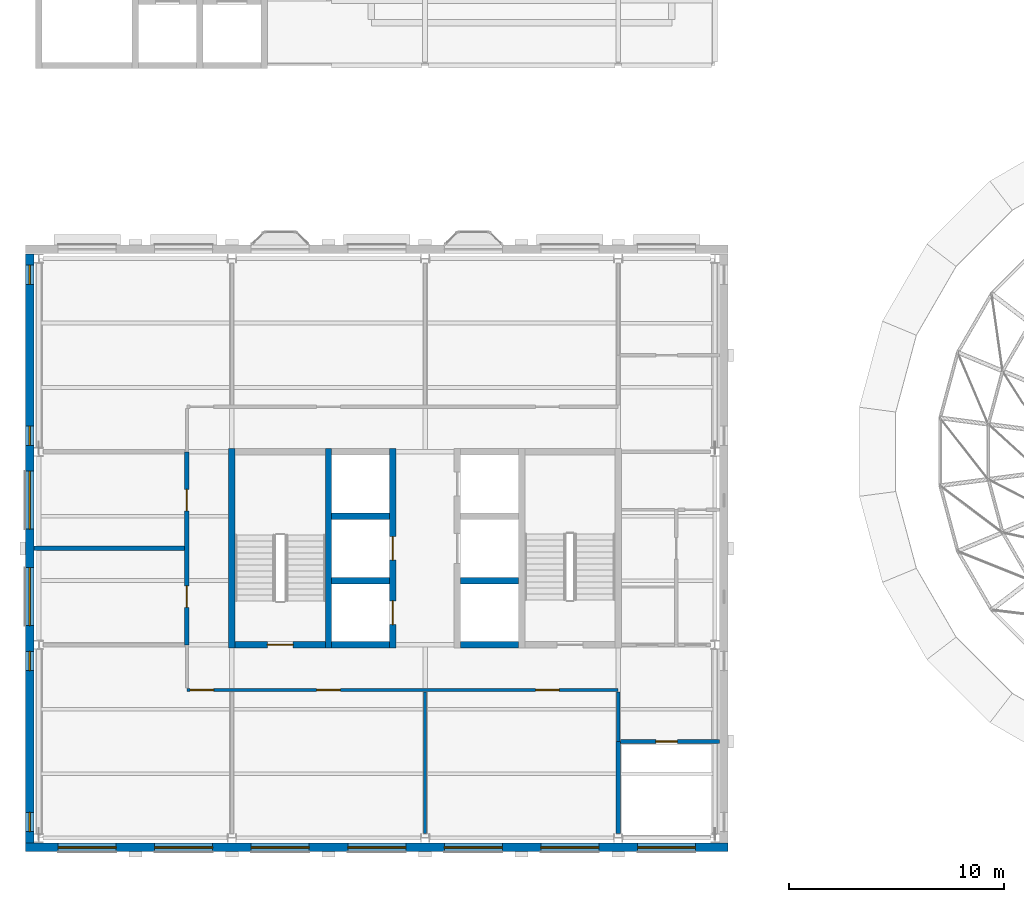
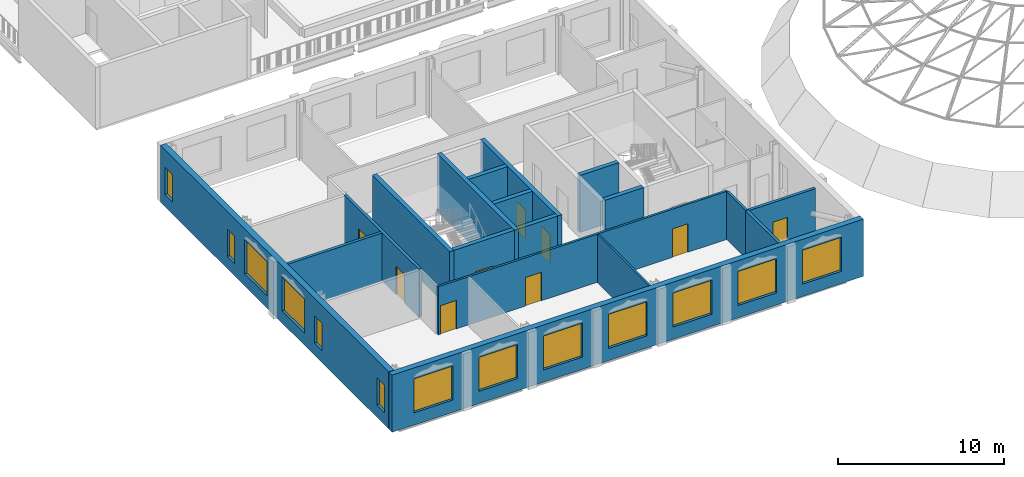
# One storey, part 12 of 33: 18 walls, 13 windows, 9 doors, 22 openings.
"""IFC4 building model written with IfcOpenShell, lengths in metres."""

from ifc_helpers import new_model, si_unit, direction, frame, frame_2d, origin, place, context, subcontext, project, spatial, rectangle, extrude, material, layer, layer_set, type_object, element, fill, save


model = new_model("IFC4")

# Units and contexts
model_context = context("Model", 3, precision=1e-05, world=origin(), true_north=direction((0.0, 1.0)))
body_context = subcontext(model_context, "Body", "Model", "MODEL_VIEW")
ifc_project = project(units=[si_unit("LENGTHUNIT", "METRE"), si_unit("AREAUNIT", "SQUARE_METRE"), si_unit("VOLUMEUNIT", "CUBIC_METRE"), si_unit("PLANEANGLEUNIT", "RADIAN"), si_unit("MASSUNIT", "GRAM", prefix="KILO")], contexts=[model_context])

# Site, building, storey
site_placement = place(None, origin())
site = spatial("IfcSite", under=ifc_project, at=site_placement, CompositionType="ELEMENT")
building_placement = place(site_placement, origin())
building = spatial("IfcBuilding", under=site, at=building_placement, Name="Hortulan Conservatory and Botanical Research Centre", CompositionType="ELEMENT")
storey_placement = place(building_placement, frame((0.0, 0.0, 19.199951171875)))
storey = spatial("IfcBuildingStorey", under=building, at=storey_placement, Name="L04", CompositionType="ELEMENT", Elevation=19.199951171875)

# Wall, openings, doors
ifc_material_1 = material(Name="Fire-rated plasterboard on steel studs", Category="steel")
ifc_layer_1 = layer(ifc_material_1, 0.199951171875)
ifc_layer_set_1 = layer_set([ifc_layer_1], Name="Compartment Partition 200")
wall_type_1 = type_object("IfcWallType", Name="Compartment Partition 200", PredefinedType="PARTITIONING", material=ifc_layer_set_1)
wall_1_placement = place(storey_placement, frame((6.89990234375, 9.0, 0.0), z_axis=(0.0, 0.0, 1.0), x_axis=(0.0, 1.0, 0.0)))
wall_1 = element("IfcWall", 1, at=wall_1_placement, inside=storey, type_object=wall_type_1, Name="Store wall", PredefinedType="PARTITIONING", context=body_context, shape_type="SweptSolid", body=[
    extrude(rectangle(XDim=9.0, YDim=0.199951171875, at=frame_2d((4.5, 0.0))), origin(), (0.0, 0.0, 1.0), 3.537109375),
])
opening_1_placement = place(wall_1_placement, frame((1.75, 0.0, 0.0)))
opening_1 = element("IfcOpeningElement", 2, at=opening_1_placement, cuts=wall_1, Name="Opening DT6", PredefinedType="OPENING", context=body_context, shape_type="SweptSolid", body=[
    extrude(rectangle(XDim=1.0, YDim=2.10009765625, at=frame_2d((0.5, 1.050048828125))), frame((0.0, 0.10986328125, 0.0), z_axis=(0.0, -1.0, 0.0), x_axis=(1.0, 0.0, 0.0)), (0.0, 0.0, 1.0), 0.219970703125),
])
opening_2_placement = place(wall_1_placement, frame((6.25, 0.0, 0.0)))
opening_2 = element("IfcOpeningElement", 3, at=opening_2_placement, cuts=wall_1, Name="Opening DT6", PredefinedType="OPENING", context=body_context, shape_type="SweptSolid", body=[
    extrude(rectangle(XDim=1.0, YDim=2.10009765625, at=frame_2d((0.5, 1.050048828125))), frame((0.0, 0.10986328125, 0.0), z_axis=(0.0, -1.0, 0.0), x_axis=(1.0, 0.0, 0.0)), (0.0, 0.0, 1.0), 0.219970703125),
])
ifc_material_2 = material(Name="Steel door leaf, insulated", Category="steel")
door_type_1 = type_object("IfcDoorType", Name="Fire Door 1000x2100 FRL -/120/30", OperationType="NOTDEFINED", PredefinedType="DOOR", material=ifc_material_2)
door_1_placement = place(opening_1_placement, origin())
door_1 = element("IfcDoor", 4, at=door_1_placement, inside=storey, type_object=door_type_1, Name="Door DT6 Chemical Store", OperationType="SINGLE_SWING_LEFT", OverallHeight=2.10009765625, OverallWidth=1.0, PredefinedType="DOOR", context=body_context, shape_type="SweptSolid", body=[
    extrude(rectangle(XDim=1.0, YDim=2.10009765625, at=frame_2d((0.5, 1.050048828125))), frame((0.0, 0.02490234375, 0.0), z_axis=(0.0, -1.0, 0.0), x_axis=(1.0, 0.0, 0.0)), (0.0, 0.0, 1.0), 0.050048828125),
])
fill(opening_1, door_1)
door_2_placement = place(opening_2_placement, origin())
door_2 = element("IfcDoor", 5, at=door_2_placement, inside=storey, type_object=door_type_1, Name="Door DT6 Cold Room", OperationType="SINGLE_SWING_RIGHT", OverallHeight=2.10009765625, OverallWidth=1.0, PredefinedType="DOOR", context=body_context, shape_type="SweptSolid", body=[
    extrude(rectangle(XDim=1.0, YDim=2.10009765625, at=frame_2d((0.5, 1.050048828125))), frame((0.0, 0.02490234375, 0.0), z_axis=(0.0, -1.0, 0.0), x_axis=(1.0, 0.0, 0.0)), (0.0, 0.0, 1.0), 0.050048828125),
])
fill(opening_2, door_2)

# Wall
wall_2_placement = place(storey_placement, frame((27.0, 0.220947265625, 0.0), z_axis=(0.0, 0.0, 1.0), x_axis=(0.0, 1.0, 0.0)))
element("IfcWall", 6, at=wall_2_placement, inside=storey, type_object=wall_type_1, Name="Riser wall", PredefinedType="PARTITIONING", context=body_context, shape_type="SweptSolid", body=[
    extrude(rectangle(XDim=4.279052734375, YDim=0.199951171875, at=frame_2d((2.1396484375, 0.0))), origin(), (0.0, 0.0, 1.0), 3.537109375),
])

# Wall, opening, door
wall_3_placement = place(storey_placement, frame((27.110107421875, 4.5, 0.0), z_axis=(0.0, 0.0, 1.0), x_axis=(1.0, 0.0, 0.0)))
wall_3 = element("IfcWall", 7, at=wall_3_placement, inside=storey, type_object=wall_type_1, Name="Riser wall", PredefinedType="PARTITIONING", context=body_context, shape_type="SweptSolid", body=[
    extrude(rectangle(XDim=4.60498046875, YDim=0.199951171875, at=frame_2d((2.302490234375, 0.0))), origin(), (0.0, 0.0, 1.0), 3.537109375),
])
opening_3_placement = place(wall_3_placement, frame((1.639892578125, 0.0, 0.0)))
opening_3 = element("IfcOpeningElement", 8, at=opening_3_placement, cuts=wall_3, Name="Opening DT6", PredefinedType="OPENING", context=body_context, shape_type="SweptSolid", body=[
    extrude(rectangle(XDim=1.0, YDim=2.10009765625, at=frame_2d((0.5, 1.050048828125))), frame((0.0, 0.10986328125, 0.0), z_axis=(0.0, -1.0, 0.0), x_axis=(1.0, 0.0, 0.0)), (0.0, 0.0, 1.0), 0.219970703125),
])
door_3_placement = place(opening_3_placement, frame((1.0, 0.0, 0.0), z_axis=(0.0, 0.0, 1.0), x_axis=(-1.0, 0.0, 0.0)))
door_3 = element("IfcDoor", 9, at=door_3_placement, inside=storey, type_object=door_type_1, Name="Door DT6 Services Riser", OperationType="SINGLE_SWING_LEFT", OverallHeight=2.10009765625, OverallWidth=1.0, PredefinedType="DOOR", context=body_context, shape_type="SweptSolid", body=[
    extrude(rectangle(XDim=1.0, YDim=2.10009765625, at=frame_2d((0.5, 1.050048828125))), frame((0.0, 0.02490234375, 0.0), z_axis=(0.0, -1.0, 0.0), x_axis=(1.0, 0.0, 0.0)), (0.0, 0.0, 1.0), 0.050048828125),
])
fill(opening_3, door_3)

# Walls
wall_4_placement = place(storey_placement, frame((-0.215087890625, 13.5, 0.0), z_axis=(0.0, 0.0, 1.0), x_axis=(1.0, 0.0, 0.0)))
element("IfcWall", 10, at=wall_4_placement, inside=storey, type_object=wall_type_1, Name="Store wall", PredefinedType="PARTITIONING", context=body_context, shape_type="SweptSolid", body=[
    extrude(rectangle(XDim=7.005126953125, YDim=0.199951171875, at=frame_2d((3.50244140625, 0.0))), origin(), (0.0, 0.0, 1.0), 3.537109375),
])
ifc_material_3 = material(Name="Concrete N50 (50 MPa, AS 3600)", Category="concrete")
ifc_layer_2 = layer(ifc_material_3, 0.300048828125)
ifc_layer_set_2 = layer_set([ifc_layer_2], Name="Core Wall 300 N50 FRL 240/120/120")
wall_type_2 = type_object("IfcWallType", Name="Core Wall 300 N50 FRL 240/120/120", PredefinedType="SHEAR", material=ifc_layer_set_2)
for number, where, z_axis, x_axis, name in (
    (11, (9.0, 8.85009765625, 0.0), (0.0, 0.0, 1.0), (0.0, 1.0, 0.0), "Reinforced concrete shaft wall"),
    (12, (13.5, 8.85009765625, 0.0), (0.0, 0.0, 1.0), (0.0, 1.0, 0.0), "Reinforced concrete shaft wall"),
):
    element("IfcWall", number, at=place(storey_placement, frame(where, z_axis=z_axis, x_axis=x_axis)), inside=storey, type_object=wall_type_2, Name=name, PredefinedType="SHEAR", context=body_context, shape_type="SweptSolid", body=[
        extrude(rectangle(XDim=9.2998046875, YDim=0.300048828125, at=frame_2d((4.64990234375, 0.0))), origin(), (0.0, 0.0, 1.0), 4.199951171875),
    ])

# Wall, openings, doors
wall_5_placement = place(storey_placement, frame((16.5, 8.85009765625, 0.0), z_axis=(0.0, 0.0, 1.0), x_axis=(0.0, 1.0, 0.0)))
wall_5 = element("IfcWall", 13, at=wall_5_placement, inside=storey, type_object=wall_type_2, Name="Reinforced concrete shaft wall", PredefinedType="SHEAR", context=body_context, shape_type="SweptSolid", body=[
    extrude(rectangle(XDim=9.2998046875, YDim=0.300048828125, at=frame_2d((4.64990234375, 0.0))), origin(), (0.0, 0.0, 1.0), 4.199951171875),
])
opening_4_placement = place(wall_5_placement, frame((1.10009765625, 0.0, 0.0)))
opening_4 = element("IfcOpeningElement", 14, at=opening_4_placement, cuts=wall_5, Name="Opening LD1", PredefinedType="OPENING", context=body_context, shape_type="SweptSolid", body=[
    extrude(rectangle(XDim=1.10009765625, YDim=2.10009765625, at=frame_2d((0.550048828125, 1.050048828125))), frame((0.0, 0.159912109375, 0.0), z_axis=(0.0, -1.0, 0.0), x_axis=(1.0, 0.0, 0.0)), (0.0, 0.0, 1.0), 0.320068359375),
])
opening_5_placement = place(wall_5_placement, frame((4.10009765625, 0.0, 0.0)))
opening_5 = element("IfcOpeningElement", 15, at=opening_5_placement, cuts=wall_5, Name="Opening LD1", PredefinedType="OPENING", context=body_context, shape_type="SweptSolid", body=[
    extrude(rectangle(XDim=1.10009765625, YDim=2.10009765625, at=frame_2d((0.550048828125, 1.050048828125))), frame((0.0, 0.159912109375, 0.0), z_axis=(0.0, -1.0, 0.0), x_axis=(1.0, 0.0, 0.0)), (0.0, 0.0, 1.0), 0.320068359375),
])
ifc_material_4 = material(Name="Stainless steel door leaves in steel frame", Category="steel")
door_type_2 = type_object("IfcDoorType", Name="Lift Landing Door 1100x2100", OperationType="DOUBLE_DOOR_SLIDING", PredefinedType="DOOR", material=ifc_material_4)
door_4_placement = place(opening_4_placement, origin())
door_4 = element("IfcDoor", 16, at=door_4_placement, inside=storey, type_object=door_type_2, Name="Lift LP1 landing door L04", OperationType="DOUBLE_DOOR_SLIDING", OverallHeight=2.10009765625, OverallWidth=1.10009765625, PredefinedType="DOOR", context=body_context, shape_type="SweptSolid", body=[
    extrude(rectangle(XDim=1.10009765625, YDim=2.10009765625, at=frame_2d((0.550048828125, 1.050048828125))), frame((0.0, 0.02490234375, 0.0), z_axis=(0.0, -1.0, 0.0), x_axis=(1.0, 0.0, 0.0)), (0.0, 0.0, 1.0), 0.050048828125),
])
fill(opening_4, door_4)
door_5_placement = place(opening_5_placement, origin())
door_5 = element("IfcDoor", 17, at=door_5_placement, inside=storey, type_object=door_type_2, Name="Lift LP2 landing door L04", OperationType="DOUBLE_DOOR_SLIDING", OverallHeight=2.10009765625, OverallWidth=1.10009765625, PredefinedType="DOOR", context=body_context, shape_type="SweptSolid", body=[
    extrude(rectangle(XDim=1.10009765625, YDim=2.10009765625, at=frame_2d((0.550048828125, 1.050048828125))), frame((0.0, 0.02490234375, 0.0), z_axis=(0.0, -1.0, 0.0), x_axis=(1.0, 0.0, 0.0)), (0.0, 0.0, 1.0), 0.050048828125),
])
fill(opening_5, door_5)

# Wall, opening, door
wall_6_placement = place(storey_placement, frame((9.14990234375, 9.0, 0.0), z_axis=(0.0, 0.0, 1.0), x_axis=(1.0, 0.0, 0.0)))
wall_6 = element("IfcWall", 18, at=wall_6_placement, inside=storey, type_object=wall_type_2, Name="Reinforced concrete shaft wall", PredefinedType="SHEAR", context=body_context, shape_type="SweptSolid", body=[
    extrude(rectangle(XDim=4.2001953125, YDim=0.300048828125, at=frame_2d((2.10009765625, 0.0))), origin(), (0.0, 0.0, 1.0), 4.199951171875),
])
opening_6_placement = place(wall_6_placement, frame((1.5, 0.0, 0.0)))
opening_6 = element("IfcOpeningElement", 19, at=opening_6_placement, cuts=wall_6, Name="Opening DT5", PredefinedType="OPENING", context=body_context, shape_type="SweptSolid", body=[
    extrude(rectangle(XDim=1.199951171875, YDim=2.10009765625, at=frame_2d((0.60009765625, 1.050048828125))), frame((0.0, 0.159912109375, 0.0), z_axis=(0.0, -1.0, 0.0), x_axis=(1.0, 0.0, 0.0)), (0.0, 0.0, 1.0), 0.320068359375),
])
door_type_3 = type_object("IfcDoorType", Name="Stair Door 1200x2100 FRL -/120/30", OperationType="NOTDEFINED", PredefinedType="DOOR", material=ifc_material_2)
door_6_placement = place(opening_6_placement, origin())
door_6 = element("IfcDoor", 20, at=door_6_placement, inside=storey, type_object=door_type_3, Name="Door DT5 Exit Stair T1", OperationType="SINGLE_SWING_RIGHT", OverallHeight=2.10009765625, OverallWidth=1.199951171875, PredefinedType="DOOR", context=body_context, shape_type="SweptSolid", body=[
    extrude(rectangle(XDim=1.199951171875, YDim=2.10009765625, at=frame_2d((0.60009765625, 1.050048828125))), frame((0.0, 0.02490234375, 0.0), z_axis=(0.0, -1.0, 0.0), x_axis=(1.0, 0.0, 0.0)), (0.0, 0.0, 1.0), 0.050048828125),
])
fill(opening_6, door_6)

# Walls
for number, where, z_axis, x_axis, name in (
    (21, (13.64990234375, 9.0, 0.0), (0.0, 0.0, 1.0), (1.0, 0.0, 0.0), "Reinforced concrete shaft wall"),
    (22, (19.64990234375, 9.0, 0.0), (0.0, 0.0, 1.0), (1.0, 0.0, 0.0), "Reinforced concrete shaft wall"),
    (23, (13.64990234375, 12.0, 0.0), (0.0, 0.0, 1.0), (1.0, 0.0, 0.0), "Reinforced concrete shaft wall"),
    (24, (19.64990234375, 12.0, 0.0), (0.0, 0.0, 1.0), (1.0, 0.0, 0.0), "Reinforced concrete shaft wall"),
    (25, (13.64990234375, 15.0, 0.0), (0.0, 0.0, 1.0), (1.0, 0.0, 0.0), "Reinforced concrete shaft wall"),
):
    element("IfcWall", number, at=place(storey_placement, frame(where, z_axis=z_axis, x_axis=x_axis)), inside=storey, type_object=wall_type_2, Name=name, PredefinedType="SHEAR", context=body_context, shape_type="SweptSolid", body=[
        extrude(rectangle(XDim=2.7001953125, YDim=0.300048828125, at=frame_2d((1.35009765625, 0.0))), origin(), (0.0, 0.0, 1.0), 4.199951171875),
    ])
ifc_material_5 = material(Name="Plasterboard on steel studs", Category="steel")
ifc_layer_3 = layer(ifc_material_5, 0.14990234375)
ifc_layer_set_3 = layer_set([ifc_layer_3], Name="Corridor Partition 150")
wall_type_3 = type_object("IfcWallType", Name="Corridor Partition 150", PredefinedType="PARTITIONING", material=ifc_layer_set_3)
wall_7_placement = place(storey_placement, frame((27.0, 4.510009765625, 0.0), z_axis=(0.0, 0.0, 1.0), x_axis=(0.0, 1.0, 0.0)))
element("IfcWall", 26, at=wall_7_placement, inside=storey, type_object=wall_type_3, Name="Corridor partition", PredefinedType="PARTITIONING", context=body_context, shape_type="SweptSolid", body=[
    extrude(rectangle(XDim=2.304931640625, YDim=0.14990234375, at=frame_2d((1.15234375, 0.0))), origin(), (0.0, 0.0, 1.0), 3.537109375),
])

# Wall, openings, doors
wall_8_placement = place(storey_placement, frame((6.89990234375, 6.89990234375, 0.0), z_axis=(0.0, 0.0, 1.0), x_axis=(1.0, 0.0, 0.0)))
wall_8 = element("IfcWall", 27, at=wall_8_placement, inside=storey, type_object=wall_type_3, Name="Corridor partition", PredefinedType="PARTITIONING", context=body_context, shape_type="SweptSolid", body=[
    extrude(rectangle(XDim=20.10009765625, YDim=0.14990234375, at=frame_2d((10.050048828125, 0.0))), origin(), (0.0, 0.0, 1.0), 3.537109375),
])
opening_7_placement = place(wall_8_placement, frame((0.14990234375, 0.0, 0.0)))
opening_7 = element("IfcOpeningElement", 28, at=opening_7_placement, cuts=wall_8, Name="Opening DT3", PredefinedType="OPENING", context=body_context, shape_type="SweptSolid", body=[
    extrude(rectangle(XDim=1.10009765625, YDim=2.10009765625, at=frame_2d((0.550048828125, 1.050048828125))), frame((0.0, 0.0849609375, 0.0), z_axis=(0.0, -1.0, 0.0), x_axis=(1.0, 0.0, 0.0)), (0.0, 0.0, 1.0), 0.169921875),
])
opening_8_placement = place(wall_8_placement, frame((6.050048828125, 0.0, 0.0)))
opening_8 = element("IfcOpeningElement", 29, at=opening_8_placement, cuts=wall_8, Name="Opening DT3", PredefinedType="OPENING", context=body_context, shape_type="SweptSolid", body=[
    extrude(rectangle(XDim=1.10009765625, YDim=2.10009765625, at=frame_2d((0.550048828125, 1.050048828125))), frame((0.0, 0.0849609375, 0.0), z_axis=(0.0, -1.0, 0.0), x_axis=(1.0, 0.0, 0.0)), (0.0, 0.0, 1.0), 0.169921875),
])
opening_9_placement = place(wall_8_placement, frame((16.25, 0.0, 0.0)))
opening_9 = element("IfcOpeningElement", 30, at=opening_9_placement, cuts=wall_8, Name="Opening DT3", PredefinedType="OPENING", context=body_context, shape_type="SweptSolid", body=[
    extrude(rectangle(XDim=1.10009765625, YDim=2.10009765625, at=frame_2d((0.550048828125, 1.050048828125))), frame((0.0, 0.0849609375, 0.0), z_axis=(0.0, -1.0, 0.0), x_axis=(1.0, 0.0, 0.0)), (0.0, 0.0, 1.0), 0.169921875),
])
ifc_material_6 = material(Name="Timber door leaf with vision panel", Category="wood")
door_type_4 = type_object("IfcDoorType", Name="Laboratory Door 1100x2100", OperationType="NOTDEFINED", PredefinedType="DOOR", material=ifc_material_6)
door_7_placement = place(opening_7_placement, frame((1.10009765625, 0.0, 0.0), z_axis=(0.0, 0.0, 1.0), x_axis=(-1.0, 0.0, 0.0)))
door_7 = element("IfcDoor", 31, at=door_7_placement, inside=storey, type_object=door_type_4, Name="Door DT3 Plant Physiology Laboratory", OperationType="SINGLE_SWING_RIGHT", OverallHeight=2.10009765625, OverallWidth=1.10009765625, PredefinedType="DOOR", context=body_context, shape_type="SweptSolid", body=[
    extrude(rectangle(XDim=1.10009765625, YDim=2.10009765625, at=frame_2d((0.550048828125, 1.050048828125))), frame((0.0, 0.02490234375, 0.0), z_axis=(0.0, -1.0, 0.0), x_axis=(1.0, 0.0, 0.0)), (0.0, 0.0, 1.0), 0.050048828125),
])
fill(opening_7, door_7)
door_8_placement = place(opening_8_placement, frame((1.10009765625, 0.0, 0.0), z_axis=(0.0, 0.0, 1.0), x_axis=(-1.0, 0.0, 0.0)))
door_8 = element("IfcDoor", 32, at=door_8_placement, inside=storey, type_object=door_type_4, Name="Door DT3 Genomics Laboratory", OperationType="SINGLE_SWING_LEFT", OverallHeight=2.10009765625, OverallWidth=1.10009765625, PredefinedType="DOOR", context=body_context, shape_type="SweptSolid", body=[
    extrude(rectangle(XDim=1.10009765625, YDim=2.10009765625, at=frame_2d((0.550048828125, 1.050048828125))), frame((0.0, 0.02490234375, 0.0), z_axis=(0.0, -1.0, 0.0), x_axis=(1.0, 0.0, 0.0)), (0.0, 0.0, 1.0), 0.050048828125),
])
fill(opening_8, door_8)
door_9_placement = place(opening_9_placement, frame((1.10009765625, 0.0, 0.0), z_axis=(0.0, 0.0, 1.0), x_axis=(-1.0, 0.0, 0.0)))
door_9 = element("IfcDoor", 33, at=door_9_placement, inside=storey, type_object=door_type_4, Name="Door DT3 Microscopy Suite", OperationType="SINGLE_SWING_RIGHT", OverallHeight=2.10009765625, OverallWidth=1.10009765625, PredefinedType="DOOR", context=body_context, shape_type="SweptSolid", body=[
    extrude(rectangle(XDim=1.10009765625, YDim=2.10009765625, at=frame_2d((0.550048828125, 1.050048828125))), frame((0.0, 0.02490234375, 0.0), z_axis=(0.0, -1.0, 0.0), x_axis=(1.0, 0.0, 0.0)), (0.0, 0.0, 1.0), 0.050048828125),
])
fill(opening_9, door_9)

# Wall, openings, windows
ifc_material_7 = material(Name="Faience-faced brickwork masonry", Category="masonry")
ifc_layer_4 = layer(ifc_material_7, 0.39990234375)
ifc_layer_set_4 = layer_set([ifc_layer_4], Name="Faience-faced Masonry Cavity Wall 400")
wall_type_4 = type_object("IfcWallType", Name="Faience-faced Masonry Cavity Wall 400", PredefinedType="STANDARD", material=ifc_layer_set_4)
wall_9_placement = place(storey_placement, frame((32.125, -0.43603515625, 0.0), z_axis=(0.0, 0.0, 1.0), x_axis=(-1.0, 0.0, 0.0)))
wall_9 = element("IfcWall", 34, at=wall_9_placement, inside=storey, type_object=wall_type_4, Name="E-EW-TW-L04-S1", PredefinedType="STANDARD", context=body_context, shape_type="SweptSolid", body=[
    extrude(rectangle(XDim=32.75, YDim=0.39990234375, at=frame_2d((16.375, 0.0))), origin(), (0.0, 0.0, 1.0), 4.199951171875),
])
opening_10_placement = place(wall_9_placement, frame((28.52490234375, 0.0, 0.89990234375)))
opening_10 = element("IfcOpeningElement", 35, at=opening_10_placement, cuts=wall_9, Name="Opening W4", PredefinedType="OPENING", context=body_context, shape_type="SweptSolid", body=[
    extrude(rectangle(XDim=2.699951171875, YDim=2.5, at=frame_2d((1.35009765625, 1.25))), frame((0.0, 0.2099609375, 0.0), z_axis=(0.0, -1.0, 0.0), x_axis=(1.0, 0.0, 0.0)), (0.0, 0.0, 1.0), 0.419921875),
])
opening_11_placement = place(wall_9_placement, frame((24.02490234375, 0.0, 0.89990234375)))
opening_11 = element("IfcOpeningElement", 36, at=opening_11_placement, cuts=wall_9, Name="Opening W4", PredefinedType="OPENING", context=body_context, shape_type="SweptSolid", body=[
    extrude(rectangle(XDim=2.699951171875, YDim=2.5, at=frame_2d((1.35009765625, 1.25))), frame((0.0, 0.2099609375, 0.0), z_axis=(0.0, -1.0, 0.0), x_axis=(1.0, 0.0, 0.0)), (0.0, 0.0, 1.0), 0.419921875),
])
opening_12_placement = place(wall_9_placement, frame((19.52490234375, 0.0, 0.89990234375)))
opening_12 = element("IfcOpeningElement", 37, at=opening_12_placement, cuts=wall_9, Name="Opening W4", PredefinedType="OPENING", context=body_context, shape_type="SweptSolid", body=[
    extrude(rectangle(XDim=2.699951171875, YDim=2.5, at=frame_2d((1.35009765625, 1.25))), frame((0.0, 0.2099609375, 0.0), z_axis=(0.0, -1.0, 0.0), x_axis=(1.0, 0.0, 0.0)), (0.0, 0.0, 1.0), 0.419921875),
])
opening_13_placement = place(wall_9_placement, frame((15.02490234375, 0.0, 0.89990234375)))
opening_13 = element("IfcOpeningElement", 38, at=opening_13_placement, cuts=wall_9, Name="Opening W4", PredefinedType="OPENING", context=body_context, shape_type="SweptSolid", body=[
    extrude(rectangle(XDim=2.699951171875, YDim=2.5, at=frame_2d((1.35009765625, 1.25))), frame((0.0, 0.2099609375, 0.0), z_axis=(0.0, -1.0, 0.0), x_axis=(1.0, 0.0, 0.0)), (0.0, 0.0, 1.0), 0.419921875),
])
opening_14_placement = place(wall_9_placement, frame((10.52490234375, 0.0, 0.89990234375)))
opening_14 = element("IfcOpeningElement", 39, at=opening_14_placement, cuts=wall_9, Name="Opening W4", PredefinedType="OPENING", context=body_context, shape_type="SweptSolid", body=[
    extrude(rectangle(XDim=2.699951171875, YDim=2.5, at=frame_2d((1.35009765625, 1.25))), frame((0.0, 0.2099609375, 0.0), z_axis=(0.0, -1.0, 0.0), x_axis=(1.0, 0.0, 0.0)), (0.0, 0.0, 1.0), 0.419921875),
])
opening_15_placement = place(wall_9_placement, frame((6.02490234375, 0.0, 0.89990234375)))
opening_15 = element("IfcOpeningElement", 40, at=opening_15_placement, cuts=wall_9, Name="Opening W4", PredefinedType="OPENING", context=body_context, shape_type="SweptSolid", body=[
    extrude(rectangle(XDim=2.699951171875, YDim=2.5, at=frame_2d((1.35009765625, 1.25))), frame((0.0, 0.2099609375, 0.0), z_axis=(0.0, -1.0, 0.0), x_axis=(1.0, 0.0, 0.0)), (0.0, 0.0, 1.0), 0.419921875),
])
opening_16_placement = place(wall_9_placement, frame((1.52490234375, 0.0, 0.89990234375)))
opening_16 = element("IfcOpeningElement", 41, at=opening_16_placement, cuts=wall_9, Name="Opening W4", PredefinedType="OPENING", context=body_context, shape_type="SweptSolid", body=[
    extrude(rectangle(XDim=2.699951171875, YDim=2.5, at=frame_2d((1.35009765625, 1.25))), frame((0.0, 0.2099609375, 0.0), z_axis=(0.0, -1.0, 0.0), x_axis=(1.0, 0.0, 0.0)), (0.0, 0.0, 1.0), 0.419921875),
])
ifc_material_8 = material(Name="Bronze-finished aluminium frame with low-e laminated double glazing", Category="aluminium")
window_type_1 = type_object("IfcWindowType", Name="Faience Window 2700x2500", PartitioningType="SINGLE_PANEL", PredefinedType="WINDOW", material=ifc_material_8)
window_1_placement = place(opening_10_placement, origin())
window_1 = element("IfcWindow", 42, at=window_1_placement, inside=storey, type_object=window_type_1, Name="Faience window", OverallHeight=2.5, OverallWidth=2.699951171875, PartitioningType="SINGLE_PANEL", PredefinedType="WINDOW", context=body_context, shape_type="SweptSolid", body=[
    extrude(rectangle(XDim=2.699951171875, YDim=2.5, at=frame_2d((1.35009765625, 1.25))), frame((0.0, 0.030029296875, 0.0), z_axis=(0.0, -1.0, 0.0), x_axis=(1.0, 0.0, 0.0)), (0.0, 0.0, 1.0), 0.06005859375),
])
fill(opening_10, window_1)
window_2_placement = place(opening_11_placement, origin())
window_2 = element("IfcWindow", 43, at=window_2_placement, inside=storey, type_object=window_type_1, Name="Faience window", OverallHeight=2.5, OverallWidth=2.699951171875, PartitioningType="SINGLE_PANEL", PredefinedType="WINDOW", context=body_context, shape_type="SweptSolid", body=[
    extrude(rectangle(XDim=2.699951171875, YDim=2.5, at=frame_2d((1.35009765625, 1.25))), frame((0.0, 0.030029296875, 0.0), z_axis=(0.0, -1.0, 0.0), x_axis=(1.0, 0.0, 0.0)), (0.0, 0.0, 1.0), 0.06005859375),
])
fill(opening_11, window_2)
window_3_placement = place(opening_12_placement, origin())
window_3 = element("IfcWindow", 44, at=window_3_placement, inside=storey, type_object=window_type_1, Name="Faience window", OverallHeight=2.5, OverallWidth=2.699951171875, PartitioningType="SINGLE_PANEL", PredefinedType="WINDOW", context=body_context, shape_type="SweptSolid", body=[
    extrude(rectangle(XDim=2.699951171875, YDim=2.5, at=frame_2d((1.35009765625, 1.25))), frame((0.0, 0.030029296875, 0.0), z_axis=(0.0, -1.0, 0.0), x_axis=(1.0, 0.0, 0.0)), (0.0, 0.0, 1.0), 0.06005859375),
])
fill(opening_12, window_3)
window_4_placement = place(opening_13_placement, origin())
window_4 = element("IfcWindow", 45, at=window_4_placement, inside=storey, type_object=window_type_1, Name="Faience window", OverallHeight=2.5, OverallWidth=2.699951171875, PartitioningType="SINGLE_PANEL", PredefinedType="WINDOW", context=body_context, shape_type="SweptSolid", body=[
    extrude(rectangle(XDim=2.699951171875, YDim=2.5, at=frame_2d((1.35009765625, 1.25))), frame((0.0, 0.030029296875, 0.0), z_axis=(0.0, -1.0, 0.0), x_axis=(1.0, 0.0, 0.0)), (0.0, 0.0, 1.0), 0.06005859375),
])
fill(opening_13, window_4)
window_5_placement = place(opening_14_placement, origin())
window_5 = element("IfcWindow", 46, at=window_5_placement, inside=storey, type_object=window_type_1, Name="Faience window", OverallHeight=2.5, OverallWidth=2.699951171875, PartitioningType="SINGLE_PANEL", PredefinedType="WINDOW", context=body_context, shape_type="SweptSolid", body=[
    extrude(rectangle(XDim=2.699951171875, YDim=2.5, at=frame_2d((1.35009765625, 1.25))), frame((0.0, 0.030029296875, 0.0), z_axis=(0.0, -1.0, 0.0), x_axis=(1.0, 0.0, 0.0)), (0.0, 0.0, 1.0), 0.06005859375),
])
fill(opening_14, window_5)
window_6_placement = place(opening_15_placement, origin())
window_6 = element("IfcWindow", 47, at=window_6_placement, inside=storey, type_object=window_type_1, Name="Faience window", OverallHeight=2.5, OverallWidth=2.699951171875, PartitioningType="SINGLE_PANEL", PredefinedType="WINDOW", context=body_context, shape_type="SweptSolid", body=[
    extrude(rectangle(XDim=2.699951171875, YDim=2.5, at=frame_2d((1.35009765625, 1.25))), frame((0.0, 0.030029296875, 0.0), z_axis=(0.0, -1.0, 0.0), x_axis=(1.0, 0.0, 0.0)), (0.0, 0.0, 1.0), 0.06005859375),
])
fill(opening_15, window_6)
window_7_placement = place(opening_16_placement, origin())
window_7 = element("IfcWindow", 48, at=window_7_placement, inside=storey, type_object=window_type_1, Name="Faience window", OverallHeight=2.5, OverallWidth=2.699951171875, PartitioningType="SINGLE_PANEL", PredefinedType="WINDOW", context=body_context, shape_type="SweptSolid", body=[
    extrude(rectangle(XDim=2.699951171875, YDim=2.5, at=frame_2d((1.35009765625, 1.25))), frame((0.0, 0.030029296875, 0.0), z_axis=(0.0, -1.0, 0.0), x_axis=(1.0, 0.0, 0.0)), (0.0, 0.0, 1.0), 0.06005859375),
])
fill(opening_16, window_7)

wall_10_placement = place(storey_placement, frame((-0.425048828125, -0.22509765625, 0.0), z_axis=(0.0, 0.0, 1.0), x_axis=(0.0, 1.0, 0.0)))
wall_10 = element("IfcWall", 49, at=wall_10_placement, inside=storey, type_object=wall_type_4, Name="E-EW-TW-L04-W2", PredefinedType="STANDARD", context=body_context, shape_type="SweptSolid", body=[
    extrude(rectangle(XDim=27.4501953125, YDim=0.39990234375, at=frame_2d((13.72509765625, 0.0))), origin(), (0.0, 0.0, 1.0), 4.199951171875),
])
opening_17_placement = place(wall_10_placement, frame((0.52490234375, 0.0, 0.89990234375)))
opening_17 = element("IfcOpeningElement", 50, at=opening_17_placement, cuts=wall_10, Name="Opening W5", PredefinedType="OPENING", context=body_context, shape_type="SweptSolid", body=[
    extrude(rectangle(XDim=0.89990234375, YDim=2.0, at=frame_2d((0.449951171875, 1.0))), frame((0.0, 0.2099609375, 0.0), z_axis=(0.0, -1.0, 0.0), x_axis=(1.0, 0.0, 0.0)), (0.0, 0.0, 1.0), 0.419921875),
])
opening_18_placement = place(wall_10_placement, frame((8.02490234375, 0.0, 0.89990234375)))
opening_18 = element("IfcOpeningElement", 51, at=opening_18_placement, cuts=wall_10, Name="Opening W5", PredefinedType="OPENING", context=body_context, shape_type="SweptSolid", body=[
    extrude(rectangle(XDim=0.89990234375, YDim=2.0, at=frame_2d((0.449951171875, 1.0))), frame((0.0, 0.2099609375, 0.0), z_axis=(0.0, -1.0, 0.0), x_axis=(1.0, 0.0, 0.0)), (0.0, 0.0, 1.0), 0.419921875),
])
opening_19_placement = place(wall_10_placement, frame((10.125, 0.0, 0.89990234375)))
opening_19 = element("IfcOpeningElement", 52, at=opening_19_placement, cuts=wall_10, Name="Opening W4", PredefinedType="OPENING", context=body_context, shape_type="SweptSolid", body=[
    extrude(rectangle(XDim=2.699951171875, YDim=2.5, at=frame_2d((1.35009765625, 1.25))), frame((0.0, 0.2099609375, 0.0), z_axis=(0.0, -1.0, 0.0), x_axis=(1.0, 0.0, 0.0)), (0.0, 0.0, 1.0), 0.419921875),
])
opening_20_placement = place(wall_10_placement, frame((14.625, 0.0, 0.89990234375)))
opening_20 = element("IfcOpeningElement", 53, at=opening_20_placement, cuts=wall_10, Name="Opening W4", PredefinedType="OPENING", context=body_context, shape_type="SweptSolid", body=[
    extrude(rectangle(XDim=2.699951171875, YDim=2.5, at=frame_2d((1.35009765625, 1.25))), frame((0.0, 0.2099609375, 0.0), z_axis=(0.0, -1.0, 0.0), x_axis=(1.0, 0.0, 0.0)), (0.0, 0.0, 1.0), 0.419921875),
])
opening_21_placement = place(wall_10_placement, frame((18.52490234375, 0.0, 0.89990234375)))
opening_21 = element("IfcOpeningElement", 54, at=opening_21_placement, cuts=wall_10, Name="Opening W5", PredefinedType="OPENING", context=body_context, shape_type="SweptSolid", body=[
    extrude(rectangle(XDim=0.89990234375, YDim=2.0, at=frame_2d((0.449951171875, 1.0))), frame((0.0, 0.2099609375, 0.0), z_axis=(0.0, -1.0, 0.0), x_axis=(1.0, 0.0, 0.0)), (0.0, 0.0, 1.0), 0.419921875),
])
opening_22_placement = place(wall_10_placement, frame((26.02490234375, 0.0, 0.89990234375)))
opening_22 = element("IfcOpeningElement", 55, at=opening_22_placement, cuts=wall_10, Name="Opening W5", PredefinedType="OPENING", context=body_context, shape_type="SweptSolid", body=[
    extrude(rectangle(XDim=0.89990234375, YDim=2.0, at=frame_2d((0.449951171875, 1.0))), frame((0.0, 0.2099609375, 0.0), z_axis=(0.0, -1.0, 0.0), x_axis=(1.0, 0.0, 0.0)), (0.0, 0.0, 1.0), 0.419921875),
])
window_type_2 = type_object("IfcWindowType", Name="Faience Pier Window 900x2000", PartitioningType="SINGLE_PANEL", PredefinedType="WINDOW", material=ifc_material_8)
window_8_placement = place(opening_17_placement, origin())
window_8 = element("IfcWindow", 56, at=window_8_placement, inside=storey, type_object=window_type_2, Name="Faience Pier window", OverallHeight=2.0, OverallWidth=0.89990234375, PartitioningType="SINGLE_PANEL", PredefinedType="WINDOW", context=body_context, shape_type="SweptSolid", body=[
    extrude(rectangle(XDim=0.89990234375, YDim=2.0, at=frame_2d((0.449951171875, 1.0))), frame((0.0, 0.030029296875, 0.0), z_axis=(0.0, -1.0, 0.0), x_axis=(1.0, 0.0, 0.0)), (0.0, 0.0, 1.0), 0.06005859375),
])
fill(opening_17, window_8)
window_9_placement = place(opening_18_placement, origin())
window_9 = element("IfcWindow", 57, at=window_9_placement, inside=storey, type_object=window_type_2, Name="Faience Pier window", OverallHeight=2.0, OverallWidth=0.89990234375, PartitioningType="SINGLE_PANEL", PredefinedType="WINDOW", context=body_context, shape_type="SweptSolid", body=[
    extrude(rectangle(XDim=0.89990234375, YDim=2.0, at=frame_2d((0.449951171875, 1.0))), frame((0.0, 0.030029296875, 0.0), z_axis=(0.0, -1.0, 0.0), x_axis=(1.0, 0.0, 0.0)), (0.0, 0.0, 1.0), 0.06005859375),
])
fill(opening_18, window_9)
window_10_placement = place(opening_21_placement, origin())
window_10 = element("IfcWindow", 58, at=window_10_placement, inside=storey, type_object=window_type_2, Name="Faience Pier window", OverallHeight=2.0, OverallWidth=0.89990234375, PartitioningType="SINGLE_PANEL", PredefinedType="WINDOW", context=body_context, shape_type="SweptSolid", body=[
    extrude(rectangle(XDim=0.89990234375, YDim=2.0, at=frame_2d((0.449951171875, 1.0))), frame((0.0, 0.030029296875, 0.0), z_axis=(0.0, -1.0, 0.0), x_axis=(1.0, 0.0, 0.0)), (0.0, 0.0, 1.0), 0.06005859375),
])
fill(opening_21, window_10)
window_11_placement = place(opening_22_placement, origin())
window_11 = element("IfcWindow", 59, at=window_11_placement, inside=storey, type_object=window_type_2, Name="Faience Pier window", OverallHeight=2.0, OverallWidth=0.89990234375, PartitioningType="SINGLE_PANEL", PredefinedType="WINDOW", context=body_context, shape_type="SweptSolid", body=[
    extrude(rectangle(XDim=0.89990234375, YDim=2.0, at=frame_2d((0.449951171875, 1.0))), frame((0.0, 0.030029296875, 0.0), z_axis=(0.0, -1.0, 0.0), x_axis=(1.0, 0.0, 0.0)), (0.0, 0.0, 1.0), 0.06005859375),
])
fill(opening_22, window_11)
window_12_placement = place(opening_19_placement, origin())
window_12 = element("IfcWindow", 60, at=window_12_placement, inside=storey, type_object=window_type_1, Name="Faience window", OverallHeight=2.5, OverallWidth=2.699951171875, PartitioningType="SINGLE_PANEL", PredefinedType="WINDOW", context=body_context, shape_type="SweptSolid", body=[
    extrude(rectangle(XDim=2.699951171875, YDim=2.5, at=frame_2d((1.35009765625, 1.25))), frame((0.0, 0.030029296875, 0.0), z_axis=(0.0, -1.0, 0.0), x_axis=(1.0, 0.0, 0.0)), (0.0, 0.0, 1.0), 0.06005859375),
])
fill(opening_19, window_12)
window_13_placement = place(opening_20_placement, origin())
window_13 = element("IfcWindow", 61, at=window_13_placement, inside=storey, type_object=window_type_1, Name="Faience window", OverallHeight=2.5, OverallWidth=2.699951171875, PartitioningType="SINGLE_PANEL", PredefinedType="WINDOW", context=body_context, shape_type="SweptSolid", body=[
    extrude(rectangle(XDim=2.699951171875, YDim=2.5, at=frame_2d((1.35009765625, 1.25))), frame((0.0, 0.030029296875, 0.0), z_axis=(0.0, -1.0, 0.0), x_axis=(1.0, 0.0, 0.0)), (0.0, 0.0, 1.0), 0.06005859375),
])
fill(opening_20, window_13)

# Wall
ifc_layer_5 = layer(ifc_material_5, 0.125)
ifc_layer_set_5 = layer_set([ifc_layer_5], Name="Partition 125")
wall_type_5 = type_object("IfcWallType", Name="Partition 125", PredefinedType="PARTITIONING", material=ifc_layer_set_5)
wall_11_placement = place(storey_placement, frame((18.0, 0.220947265625, 0.0), z_axis=(0.0, 0.0, 1.0), x_axis=(0.0, 1.0, 0.0)))
element("IfcWall", 62, at=wall_11_placement, inside=storey, type_object=wall_type_5, Name="Partition", PredefinedType="PARTITIONING", context=body_context, shape_type="SweptSolid", body=[
    extrude(rectangle(XDim=6.593994140625, YDim=0.125, at=frame_2d((3.296875, 0.0))), origin(), (0.0, 0.0, 1.0), 3.537109375),
])

save(model, "model.ifc")
